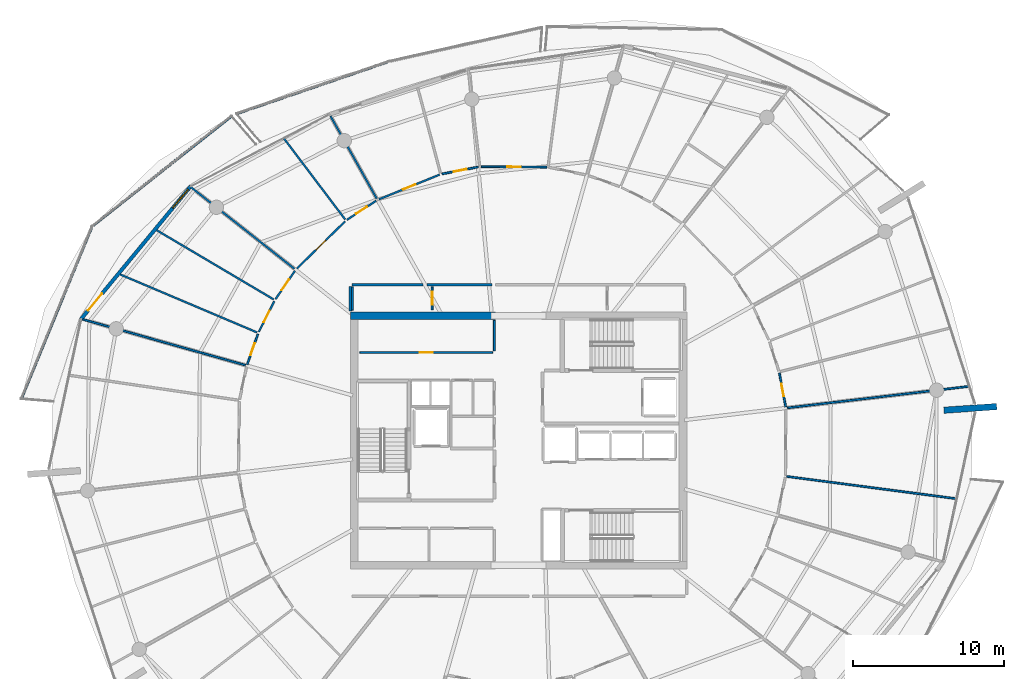
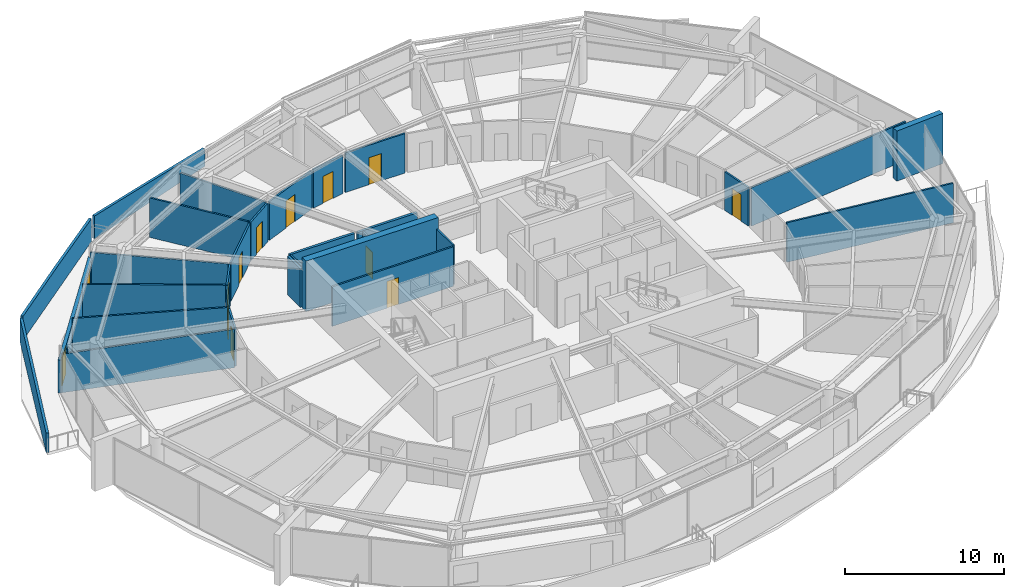
# One storey, part 21 of 30: 30 walls, 12 doors, 1 window, 13 openings.
"""IFC4 building model written with IfcOpenShell, lengths in metres."""

from ifc_helpers import new_model, si_unit, direction, frame, frame_2d, origin, place, context, subcontext, project, spatial, polyline, rectangle, outline, extrude, material, layer, layer_set, type_object, element, fill, save


model = new_model("IFC4")

# Units and contexts
model_context = context("Model", 3, precision=1e-05, world=origin(), true_north=direction((0.0, 1.0)))
body_context = subcontext(model_context, "Body", "Model", "MODEL_VIEW")
ifc_project = project(units=[si_unit("LENGTHUNIT", "METRE"), si_unit("AREAUNIT", "SQUARE_METRE"), si_unit("VOLUMEUNIT", "CUBIC_METRE"), si_unit("PLANEANGLEUNIT", "RADIAN"), si_unit("MASSUNIT", "GRAM", prefix="KILO")], contexts=[model_context])

# Site, building, storey
site_placement = place(None, origin())
site = spatial("IfcSite", under=ifc_project, at=site_placement, CompositionType="ELEMENT")
building_placement = place(site_placement, origin())
building = spatial("IfcBuilding", under=site, at=building_placement, Name="Kazma Halo Residences", CompositionType="ELEMENT")
storey_placement = place(building_placement, frame((0.0, 0.0, 298.300048828125)))
storey = spatial("IfcBuildingStorey", under=building, at=storey_placement, Name="L75", CompositionType="ELEMENT", Elevation=298.300048828125)

# Walls
ifc_material_1 = material(Name="White Concrete C50/60 Balustrade", Category="concrete")
ifc_layer_1 = layer(ifc_material_1, 0.179931640625)
ifc_layer_set_1 = layer_set([ifc_layer_1], Name="White Concrete C50/60 Balustrade")
wall_type_1 = type_object("IfcWallType", Name="WL-BAL-WAVE-180", PredefinedType="PARAPET", material=ifc_layer_set_1)
wall_1_placement = place(storey_placement, frame((39.73974609375, 67.034423828125, 0.0), z_axis=(0.0, 0.0, 1.0), x_axis=(-0.945994037051, -0.32418402469, 0.0)))
element("IfcWall", 1, at=wall_1_placement, inside=storey, type_object=wall_type_1, Name="L75 white wave balustrade wall NNW.2", PredefinedType="PARAPET", context=body_context, shape_type="SweptSolid", body=[
    extrude(outline(polyline([(0.0, 0.0), (10.5439453125, 0.0), (10.5439453125, 1.7470703125), (5.27197265625, 1.56201171875), (0.0, 1.347900390625), (0.0, 0.0)])), frame((0.0, 0.08984375, 0.0), z_axis=(0.0, -1.0, 0.0), x_axis=(1.0, 0.0, 0.0)), (0.0, 0.0, 1.0), 0.179931640625),
])
wall_2_placement = place(storey_placement, frame((29.44287109375, 63.4609375, 0.0), z_axis=(0.0, 0.0, 1.0), x_axis=(-0.784536716277, -0.620082366153, 0.0)))
element("IfcWall", 2, at=wall_2_placement, inside=storey, type_object=wall_type_1, Name="L75 white wave balustrade wall NW.1", PredefinedType="PARAPET", context=body_context, shape_type="SweptSolid", body=[
    extrude(outline(polyline([(0.0, 0.0), (11.65234375, 0.0), (11.652099609375, 1.83203125), (5.826171875, 1.85302734375), (0.0, 1.755859375), (0.0, 0.0)])), frame((0.0, 0.08984375, 0.0), z_axis=(0.0, -1.0, 0.0), x_axis=(1.0, 0.0, 0.0)), (0.0, 0.0, 1.0), 0.179931640625),
])
wall_3_placement = place(storey_placement, frame((20.16162109375, 56.05029296875, 0.0), z_axis=(0.0, 0.0, 1.0), x_axis=(-0.3796059491, -0.92514827104, 0.0)))
element("IfcWall", 3, at=wall_3_placement, inside=storey, type_object=wall_type_1, Name="L75 white wave balustrade wall NW.2", PredefinedType="PARAPET", context=body_context, shape_type="SweptSolid", body=[
    extrude(outline(polyline([(0.0, 0.0), (12.208740234375, 0.0), (12.20849609375, 1.4970703125), (6.104248046875, 1.696044921875), (0.0, 1.83203125), (0.0, 0.0)])), frame((0.0, 0.08984375, 0.0), z_axis=(0.0, -1.0, 0.0), x_axis=(1.0, 0.0, 0.0)), (0.0, 0.0, 1.0), 0.179931640625),
])
ifc_material_2 = material(Name="Pale Concrete C60/75", Category="concrete")
ifc_layer_2 = layer(ifc_material_2, 0.419921875)
ifc_layer_set_2 = layer_set([ifc_layer_2], Name="Pale Concrete C60/75")
wall_type_2 = type_object("IfcWallType", Name="WL-BLADE-420", PredefinedType="SOLIDWALL", material=ifc_layer_set_2)
wall_4_placement = place(storey_placement, frame((76.5625, 43.997314453125, 0.0), z_axis=(0.0, 0.0, 1.0), x_axis=(0.997563824095, 0.069759707979, 0.0)))
element("IfcWall", 4, at=wall_4_placement, inside=storey, type_object=wall_type_2, Name="L75 pale concrete structural blade fin wall BW-04", PredefinedType="SOLIDWALL", context=body_context, shape_type="SweptSolid", body=[
    extrude(rectangle(XDim=3.499755859375, YDim=0.419921875, at=frame_2d((1.75, 0.0))), origin(), (0.0, 0.0, 1.0), 3.849853515625),
])
ifc_material_3 = material(Name="Concrete C60/75", Category="concrete")
ifc_layer_3 = layer(ifc_material_3, 0.5)
ifc_layer_set_3 = layer_set([ifc_layer_3], Name="Concrete C60/75")
wall_type_3 = type_object("IfcWallType", Name="WL-CORE-500", PredefinedType="SHEAR", material=ifc_layer_set_3)
wall_5_placement = place(storey_placement, frame((37.300048828125, 50.25, 0.0), z_axis=(0.0, 0.0, 1.0), x_axis=(1.0, 0.0, 0.0)))
element("IfcWall", 5, at=wall_5_placement, inside=storey, type_object=wall_type_3, Name="L75 central core shear wall NW", PredefinedType="SHEAR", context=body_context, shape_type="SweptSolid", body=[
    extrude(rectangle(XDim=9.599853515625, YDim=0.5, at=frame_2d((4.7998046875, 0.0))), origin(), (0.0, 0.0, 1.0), 3.849853515625),
])
ifc_material_4 = material(Name="Acoustic Twin-Stud Gypsum")
ifc_layer_4 = layer(ifc_material_4, 0.179931640625)
ifc_layer_set_4 = layer_set([ifc_layer_4], Name="Acoustic Twin-Stud Gypsum")
wall_type_4 = type_object("IfcWallType", Name="WL-DEM-180", PredefinedType="PARTITIONING", material=ifc_layer_set_4)
wall_6_placement = place(storey_placement, frame((46.660888671875, 52.300048828125, 0.0), z_axis=(0.0, 0.0, 1.0), x_axis=(-1.0, 0.0, 0.0)))
element("IfcWall", 6, at=wall_6_placement, inside=storey, type_object=wall_type_4, Name="L75 Apartment 2 inner wall 3", PredefinedType="PARTITIONING", context=body_context, shape_type="SweptSolid", body=[
    extrude(rectangle(XDim=4.30908203125, YDim=0.179931640625, at=frame_2d((2.154541015625, 0.0))), origin(), (0.0, 0.0, 1.0), 2.95703125),
])
wall_7_placement = place(storey_placement, frame((42.11181640625, 52.300048828125, 0.0), z_axis=(0.0, 0.0, 1.0), x_axis=(-1.0, 0.0, 0.0)))
element("IfcWall", 7, at=wall_7_placement, inside=storey, type_object=wall_type_4, Name="L75 Apartment 2 inner wall 4", PredefinedType="PARTITIONING", context=body_context, shape_type="SweptSolid", body=[
    extrude(rectangle(XDim=4.69189453125, YDim=0.179931640625, at=frame_2d((2.345947265625, 0.0))), origin(), (0.0, 0.0, 1.0), 2.95703125),
])
wall_8_placement = place(storey_placement, frame((37.300048828125, 52.179931640625, 0.0), z_axis=(0.0, 0.0, 1.0), x_axis=(0.0, -1.0, 0.0)))
element("IfcWall", 8, at=wall_8_placement, inside=storey, type_object=wall_type_4, Name="L75 Apartment 2 inner wall 4", PredefinedType="PARTITIONING", context=body_context, shape_type="SweptSolid", body=[
    extrude(rectangle(XDim=1.624755859375, YDim=0.179931640625, at=frame_2d((0.8125, 0.0))), origin(), (0.0, 0.0, 1.0), 2.95703125),
])

# Wall, openings, door, window
ifc_material_5 = material(Name="Insulated Pale-Metal Composite Wall")
ifc_layer_5 = layer(ifc_material_5, 0.239990234375)
ifc_layer_set_5 = layer_set([ifc_layer_5], Name="Insulated Pale-Metal Composite Wall")
wall_type_5 = type_object("IfcWallType", Name="WL-EXT-HOST-240", PredefinedType="SOLIDWALL", material=ifc_layer_set_5)
wall_9_placement = place(storey_placement, frame((26.7421875, 58.822021484375, 0.0), z_axis=(0.0, 0.0, 1.0), x_axis=(-0.636680093065, -0.771128043255, 0.0)))
wall_9 = element("IfcWall", 9, at=wall_9_placement, inside=storey, type_object=wall_type_5, Name="L75 exterior terrace-access wall B06", PredefinedType="SOLIDWALL", context=body_context, shape_type="SweptSolid", body=[
    extrude(rectangle(XDim=11.438232421875, YDim=0.239990234375, at=frame_2d((5.71923828125, 0.0))), origin(), (0.0, 0.0, 1.0), 2.5400390625),
])
opening_1_placement = place(wall_9_placement, frame((9.21826171875, 0.0, 0.0)))
opening_1 = element("IfcOpeningElement", 10, at=opening_1_placement, cuts=wall_9, Name="Opening DTR-1600", PredefinedType="OPENING", context=body_context, shape_type="SweptSolid", body=[
    extrude(rectangle(XDim=1.449951171875, YDim=2.14990234375, at=frame_2d((0.72509765625, 1.074951171875))), frame((0.0, 0.1298828125, 0.0), z_axis=(0.0, -1.0, 0.0), x_axis=(1.0, 0.0, 0.0)), (0.0, 0.0, 1.0), 0.260009765625),
])
opening_2_placement = place(wall_9_placement, frame((0.280029296875, 0.0, 0.64990234375)))
opening_2 = element("IfcOpeningElement", 11, at=opening_2_placement, cuts=wall_9, Name="Opening W-1800", PredefinedType="OPENING", context=body_context, shape_type="SweptSolid", body=[
    extrude(rectangle(XDim=1.60009765625, YDim=1.5, at=frame_2d((0.800048828125, 0.75))), frame((0.0, 0.1298828125, 0.0), z_axis=(0.0, -1.0, 0.0), x_axis=(1.0, 0.0, 0.0)), (0.0, 0.0, 1.0), 0.260009765625),
])
ifc_material_6 = material(Name="Aluminium AW-6063 T6 Double-Glazed Terrace Door", Category="aluminium")
door_type_1 = type_object("IfcDoorType", Name="DR-EXT-TERR-1600", OperationType="NOTDEFINED", PredefinedType="DOOR", material=ifc_material_6)
door_1_placement = place(opening_1_placement, origin())
door_1 = element("IfcDoor", 12, at=door_1_placement, inside=storey, type_object=door_type_1, Name="L75 B06 balcony terrace door", OperationType="DOUBLE_DOOR_SLIDING", OverallHeight=2.14990234375, OverallWidth=1.449951171875, PredefinedType="DOOR", context=body_context, shape_type="SweptSolid", body=[
    extrude(rectangle(XDim=1.449951171875, YDim=2.14990234375, at=frame_2d((0.72509765625, 1.074951171875))), frame((0.0, 0.02490234375, 0.0), z_axis=(0.0, -1.0, 0.0), x_axis=(1.0, 0.0, 0.0)), (0.0, 0.0, 1.0), 0.050048828125),
])
fill(opening_1, door_1)
ifc_material_7 = material(Name="Clear Triple-Silver Low-E Glass in Aluminium AW-6063 T6 Frame", Category="aluminium")
window_type = type_object("IfcWindowType", Name="WIN-RES-1800", PartitioningType="DOUBLE_PANEL_VERTICAL", PredefinedType="WINDOW", material=ifc_material_7)
window_placement = place(opening_2_placement, origin())
window = element("IfcWindow", 13, at=window_placement, inside=storey, type_object=window_type, Name="L75 B06 apartment window", OverallHeight=1.5, OverallWidth=1.60009765625, PartitioningType="SINGLE_PANEL", PredefinedType="WINDOW", context=body_context, shape_type="SweptSolid", body=[
    extrude(rectangle(XDim=1.60009765625, YDim=1.5, at=frame_2d((0.800048828125, 0.75))), frame((0.0, 0.030029296875, 0.0), z_axis=(0.0, -1.0, 0.0), x_axis=(1.0, 0.0, 0.0)), (0.0, 0.0, 1.0), 0.06005859375),
])
fill(opening_2, window)

# Wall
ifc_material_8 = material(Name="Gypsum Plasterboard Partition")
ifc_layer_6 = layer(ifc_material_8, 0.125)
ifc_layer_set_6 = layer_set([ifc_layer_6], Name="Gypsum Plasterboard Partition")
wall_type_6 = type_object("IfcWallType", Name="WL-PART-125", PredefinedType="PARTITIONING", material=ifc_layer_set_6)
wall_10_placement = place(storey_placement, frame((46.820068359375, 47.919921875, 0.0), z_axis=(0.0, 0.0, 1.0), x_axis=(0.0, 1.0, 0.0)))
element("IfcWall", 14, at=wall_10_placement, inside=storey, type_object=wall_type_6, Name="L75 reclaimed north east wall", PredefinedType="PARTITIONING", context=body_context, shape_type="SweptSolid", body=[
    extrude(rectangle(XDim=2.030029296875, YDim=0.125, at=frame_2d((1.01513671875, 0.0))), origin(), (0.0, 0.0, 1.0), 3.030029296875),
])

# Wall, opening, door
wall_11_placement = place(storey_placement, frame((37.919921875, 47.820068359375, 0.0), z_axis=(0.0, 0.0, 1.0), x_axis=(1.0, 0.0, 0.0)))
wall_11 = element("IfcWall", 15, at=wall_11_placement, inside=storey, type_object=wall_type_6, Name="L75 reclaimed north front wall", PredefinedType="PARTITIONING", context=body_context, shape_type="SweptSolid", body=[
    extrude(rectangle(XDim=8.780029296875, YDim=0.125, at=frame_2d((4.39013671875, 0.0))), origin(), (0.0, 0.0, 1.0), 3.030029296875),
])
opening_3_placement = place(wall_11_placement, frame((3.965087890625, 0.0, 0.0)))
opening_3 = element("IfcOpeningElement", 16, at=opening_3_placement, cuts=wall_11, Name="Opening DS-850", PredefinedType="OPENING", context=body_context, shape_type="SweptSolid", body=[
    extrude(rectangle(XDim=0.85009765625, YDim=2.06005859375, at=frame_2d((0.425048828125, 1.030029296875))), frame((0.0, 0.072509765625, 0.0), z_axis=(0.0, -1.0, 0.0), x_axis=(1.0, 0.0, 0.0)), (0.0, 0.0, 1.0), 0.14501953125),
])
ifc_material_9 = material(Name="Painted Steel Access Leaf", Category="steel")
door_type_2 = type_object("IfcDoorType", Name="DR-SVC-850", OperationType="NOTDEFINED", PredefinedType="DOOR", material=ifc_material_9)
door_2_placement = place(opening_3_placement, origin())
door_2 = element("IfcDoor", 17, at=door_2_placement, inside=storey, type_object=door_type_2, Name="L75 reclaimed north service door", OperationType="SINGLE_SWING_RIGHT", OverallHeight=2.06005859375, OverallWidth=0.85009765625, PredefinedType="DOOR", context=body_context, shape_type="SweptSolid", body=[
    extrude(rectangle(XDim=0.85009765625, YDim=2.06005859375, at=frame_2d((0.425048828125, 1.030029296875))), frame((0.0, 0.02490234375, 0.0), z_axis=(0.0, -1.0, 0.0), x_axis=(1.0, 0.0, 0.0)), (0.0, 0.0, 1.0), 0.050048828125),
])
fill(opening_3, door_2)

# Wall
wall_12_placement = place(storey_placement, frame((37.43994140625, 50.6201171875, 0.0), z_axis=(0.0, 0.0, 1.0), x_axis=(0.0, 1.0, 0.0)))
element("IfcWall", 18, at=wall_12_placement, inside=storey, type_object=wall_type_6, Name="L75 west linen end wall", PredefinedType="PARTITIONING", context=body_context, shape_type="SweptSolid", body=[
    extrude(rectangle(XDim=1.539794921875, YDim=0.125, at=frame_2d((0.77001953125, 0.0))), origin(), (0.0, 0.0, 1.0), 3.030029296875),
])

# Wall, opening, door
wall_13_placement = place(storey_placement, frame((42.7099609375, 50.639892578125, 0.0), z_axis=(0.0, 0.0, 1.0), x_axis=(0.0, 1.0, 0.0)))
wall_13 = element("IfcWall", 19, at=wall_13_placement, inside=storey, type_object=wall_type_6, Name="L75 floor linen store door wall", PredefinedType="PARTITIONING", context=body_context, shape_type="SweptSolid", body=[
    extrude(rectangle(XDim=1.52001953125, YDim=0.125, at=frame_2d((0.760009765625, 0.0))), origin(), (0.0, 0.0, 1.0), 2.95703125),
])
opening_4_placement = place(wall_13_placement, frame((0.3349609375, 0.0, 0.0)))
opening_4 = element("IfcOpeningElement", 20, at=opening_4_placement, cuts=wall_13, Name="Opening DS-850", PredefinedType="OPENING", context=body_context, shape_type="SweptSolid", body=[
    extrude(rectangle(XDim=0.85009765625, YDim=2.06005859375, at=frame_2d((0.425048828125, 1.030029296875))), frame((0.0, 0.072509765625, 0.0), z_axis=(0.0, -1.0, 0.0), x_axis=(1.0, 0.0, 0.0)), (0.0, 0.0, 1.0), 0.14501953125),
])
door_3_placement = place(opening_4_placement, origin())
door_3 = element("IfcDoor", 21, at=door_3_placement, inside=storey, type_object=door_type_2, Name="L75 floor linen store door", OperationType="SINGLE_SWING_RIGHT", OverallHeight=2.06005859375, OverallWidth=0.85009765625, PredefinedType="DOOR", context=body_context, shape_type="SweptSolid", body=[
    extrude(rectangle(XDim=0.85009765625, YDim=2.06005859375, at=frame_2d((0.425048828125, 1.030029296875))), frame((0.0, 0.02490234375, 0.0), z_axis=(0.0, -1.0, 0.0), x_axis=(1.0, 0.0, 0.0)), (0.0, 0.0, 1.0), 0.050048828125),
])
fill(opening_4, door_3)

# Walls
wall_14_placement = place(storey_placement, frame((66.17041015625, 39.617431640625, 0.0), z_axis=(0.0, 0.0, 1.0), x_axis=(0.991515553817, -0.129988101526, 0.0)))
element("IfcWall", 22, at=wall_14_placement, inside=storey, type_object=wall_type_6, Name="L75 Apartment 2 mid-bay wall 14", PredefinedType="PARTITIONING", context=body_context, shape_type="SweptSolid", body=[
    extrude(rectangle(XDim=11.306640625, YDim=0.125, at=frame_2d((5.6533203125, 0.0))), origin(), (0.0, 0.0, 1.0), 3.030029296875),
])
wall_15_placement = place(storey_placement, frame((66.208984375, 44.1552734375, 0.0), z_axis=(0.0, 0.0, 1.0), x_axis=(0.993069062241, 0.117532283306, 0.0)))
element("IfcWall", 23, at=wall_15_placement, inside=storey, type_object=wall_type_6, Name="L75 Apartment 2 radial partition 15", PredefinedType="PARTITIONING", context=body_context, shape_type="SweptSolid", body=[
    extrude(rectangle(XDim=12.093505859375, YDim=0.125, at=frame_2d((6.046875, 0.0))), origin(), (0.0, 0.0, 1.0), 2.95703125),
])

# Wall, opening, door
wall_16_placement = place(storey_placement, frame((66.094970703125, 44.221923828125, 0.0), z_axis=(0.0, 0.0, 1.0), x_axis=(-0.183542776788, 0.98301172378, 0.0)))
wall_16 = element("IfcWall", 24, at=wall_16_placement, inside=storey, type_object=wall_type_6, Name="L75 Apartment 2 East Master Bedroom hall wall", PredefinedType="PARTITIONING", context=body_context, shape_type="SweptSolid", body=[
    extrude(rectangle(XDim=2.273193359375, YDim=0.125, at=frame_2d((1.13671875, 0.0))), origin(), (0.0, 0.0, 1.0), 2.95703125),
])
opening_5_placement = place(wall_16_placement, frame((0.71142578125, 0.0, 0.0)))
opening_5 = element("IfcOpeningElement", 25, at=opening_5_placement, cuts=wall_16, Name="Opening DB-900", PredefinedType="OPENING", context=body_context, shape_type="SweptSolid", body=[
    extrude(rectangle(XDim=0.85009765625, YDim=2.06005859375, at=frame_2d((0.425048828125, 1.030029296875))), frame((0.0, 0.072509765625, 0.0), z_axis=(0.0, -1.0, 0.0), x_axis=(1.0, 0.0, 0.0)), (0.0, 0.0, 1.0), 0.14501953125),
])
ifc_material_10 = material(Name="Moisture-Sealed Timber Leaf", Category="wood")
door_type_3 = type_object("IfcDoorType", Name="DR-BTH-900", OperationType="NOTDEFINED", PredefinedType="DOOR", material=ifc_material_10)
door_4_placement = place(opening_5_placement, origin())
door_4 = element("IfcDoor", 26, at=door_4_placement, inside=storey, type_object=door_type_3, Name="L75 Apartment 2 East Master Bedroom door", OperationType="SINGLE_SWING_RIGHT", OverallHeight=2.06005859375, OverallWidth=0.85009765625, PredefinedType="DOOR", context=body_context, shape_type="SweptSolid", body=[
    extrude(rectangle(XDim=0.85009765625, YDim=2.06005859375, at=frame_2d((0.425048828125, 1.030029296875))), frame((0.0, 0.02490234375, 0.0), z_axis=(0.0, -1.0, 0.0), x_axis=(1.0, 0.0, 0.0)), (0.0, 0.0, 1.0), 0.050048828125),
])
fill(opening_5, door_4)

wall_17_placement = place(storey_placement, frame((50.290771484375, 60.081787109375, 0.0), z_axis=(0.0, 0.0, 1.0), x_axis=(-0.999980453918, 0.006252342161, 0.0)))
wall_17 = element("IfcWall", 27, at=wall_17_placement, inside=storey, type_object=wall_type_6, Name="L75 Apartment 2 Primary Formal Dining Room hall wall", PredefinedType="PARTITIONING", context=body_context, shape_type="SweptSolid", body=[
    extrude(rectangle(XDim=4.334228515625, YDim=0.125, at=frame_2d((2.1669921875, 0.0))), origin(), (0.0, 0.0, 1.0), 3.030029296875),
])
opening_6_placement = place(wall_17_placement, frame((1.717041015625, 0.0, 0.0)))
opening_6 = element("IfcOpeningElement", 28, at=opening_6_placement, cuts=wall_17, Name="Opening DI-950", PredefinedType="OPENING", context=body_context, shape_type="SweptSolid", body=[
    extrude(rectangle(XDim=0.89990234375, YDim=2.080078125, at=frame_2d((0.449951171875, 1.0400390625))), frame((0.0, 0.072509765625, 0.0), z_axis=(0.0, -1.0, 0.0), x_axis=(1.0, 0.0, 0.0)), (0.0, 0.0, 1.0), 0.14501953125),
])
ifc_material_11 = material(Name="Timber Veneer Flush Leaf", Category="wood")
door_type_4 = type_object("IfcDoorType", Name="DR-INT-950", OperationType="NOTDEFINED", PredefinedType="DOOR", material=ifc_material_11)
door_5_placement = place(opening_6_placement, origin())
door_5 = element("IfcDoor", 29, at=door_5_placement, inside=storey, type_object=door_type_4, Name="L75 Apartment 2 Primary Formal Dining Room door", OperationType="SINGLE_SWING_LEFT", OverallHeight=2.080078125, OverallWidth=0.89990234375, PredefinedType="DOOR", context=body_context, shape_type="SweptSolid", body=[
    extrude(rectangle(XDim=0.89990234375, YDim=2.080078125, at=frame_2d((0.449951171875, 1.0400390625))), frame((0.0, 0.02490234375, 0.0), z_axis=(0.0, -1.0, 0.0), x_axis=(1.0, 0.0, 0.0)), (0.0, 0.0, 1.0), 0.050048828125),
])
fill(opening_6, door_5)

wall_18_placement = place(storey_placement, frame((45.75830078125, 60.0908203125, 0.0), z_axis=(0.0, 0.0, 1.0), x_axis=(-0.982023530452, -0.188758537923, 0.0)))
wall_18 = element("IfcWall", 30, at=wall_18_placement, inside=storey, type_object=wall_type_6, Name="L75 Apartment 2 Secondary Dressing Wardrobe hall wall", PredefinedType="PARTITIONING", context=body_context, shape_type="SweptSolid", body=[
    extrude(rectangle(XDim=2.44580078125, YDim=0.125, at=frame_2d((1.222900390625, 0.0))), origin(), (0.0, 0.0, 1.0), 2.95703125),
])
opening_7_placement = place(wall_18_placement, frame((0.7978515625, 0.0, 0.0)))
opening_7 = element("IfcOpeningElement", 31, at=opening_7_placement, cuts=wall_18, Name="Opening DB-900", PredefinedType="OPENING", context=body_context, shape_type="SweptSolid", body=[
    extrude(rectangle(XDim=0.85009765625, YDim=2.06005859375, at=frame_2d((0.425048828125, 1.030029296875))), frame((0.0, 0.072509765625, 0.0), z_axis=(0.0, -1.0, 0.0), x_axis=(1.0, 0.0, 0.0)), (0.0, 0.0, 1.0), 0.14501953125),
])
door_6_placement = place(opening_7_placement, origin())
door_6 = element("IfcDoor", 32, at=door_6_placement, inside=storey, type_object=door_type_3, Name="L75 Apartment 2 Secondary Dressing Wardrobe door", OperationType="SINGLE_SWING_LEFT", OverallHeight=2.06005859375, OverallWidth=0.85009765625, PredefinedType="DOOR", context=body_context, shape_type="SweptSolid", body=[
    extrude(rectangle(XDim=0.85009765625, YDim=2.06005859375, at=frame_2d((0.425048828125, 1.030029296875))), frame((0.0, 0.02490234375, 0.0), z_axis=(0.0, -1.0, 0.0), x_axis=(1.0, 0.0, 0.0)), (0.0, 0.0, 1.0), 0.050048828125),
])
fill(opening_7, door_6)

wall_19_placement = place(storey_placement, frame((43.203857421875, 59.583984375, 0.0), z_axis=(0.0, 0.0, 1.0), x_axis=(-0.926332321747, -0.376707352843, 0.0)))
wall_19 = element("IfcWall", 33, at=wall_19_placement, inside=storey, type_object=wall_type_6, Name="L75 Apartment 2 East Master Bedroom hall wall", PredefinedType="PARTITIONING", context=body_context, shape_type="SweptSolid", body=[
    extrude(rectangle(XDim=4.341552734375, YDim=0.125, at=frame_2d((2.1708984375, 0.0))), origin(), (0.0, 0.0, 1.0), 2.95703125),
])
opening_8_placement = place(wall_19_placement, frame((1.720703125, 0.0, 0.0)))
opening_8 = element("IfcOpeningElement", 34, at=opening_8_placement, cuts=wall_19, Name="Opening DI-950", PredefinedType="OPENING", context=body_context, shape_type="SweptSolid", body=[
    extrude(rectangle(XDim=0.89990234375, YDim=2.080078125, at=frame_2d((0.449951171875, 1.0400390625))), frame((0.0, 0.072509765625, 0.0), z_axis=(0.0, -1.0, 0.0), x_axis=(1.0, 0.0, 0.0)), (0.0, 0.0, 1.0), 0.14501953125),
])
door_7_placement = place(opening_8_placement, origin())
door_7 = element("IfcDoor", 35, at=door_7_placement, inside=storey, type_object=door_type_4, Name="L75 Apartment 2 East Master Bedroom door", OperationType="SINGLE_SWING_RIGHT", OverallHeight=2.080078125, OverallWidth=0.89990234375, PredefinedType="DOOR", context=body_context, shape_type="SweptSolid", body=[
    extrude(rectangle(XDim=0.89990234375, YDim=2.080078125, at=frame_2d((0.449951171875, 1.0400390625))), frame((0.0, 0.02490234375, 0.0), z_axis=(0.0, -1.0, 0.0), x_axis=(1.0, 0.0, 0.0)), (0.0, 0.0, 1.0), 0.050048828125),
])
fill(opening_8, door_7)

# Walls
wall_20_placement = place(storey_placement, frame((39.04052734375, 57.998046875, 0.0), z_axis=(0.0, 0.0, 1.0), x_axis=(-0.488617622803, 0.872498033629, 0.0)))
element("IfcWall", 36, at=wall_20_placement, inside=storey, type_object=wall_type_6, Name="L75 Apartment 2 radial partition 4", PredefinedType="PARTITIONING", context=body_context, shape_type="SweptSolid", body=[
    extrude(rectangle(XDim=6.2587890625, YDim=0.125, at=frame_2d((3.12939453125, 0.0))), origin(), (0.0, 0.0, 1.0), 2.95703125),
])
wall_21_placement = place(storey_placement, frame((36.95068359375, 56.620361328125, 0.0), z_axis=(0.0, 0.0, 1.0), x_axis=(-0.602918531989, 0.797802759951, 0.0)))
element("IfcWall", 37, at=wall_21_placement, inside=storey, type_object=wall_type_6, Name="L75 Apartment 2 mid-bay wall 4", PredefinedType="PARTITIONING", context=body_context, shape_type="SweptSolid", body=[
    extrude(rectangle(XDim=6.709716796875, YDim=0.125, at=frame_2d((3.35498046875, 0.0))), origin(), (0.0, 0.0, 1.0), 3.030029296875),
])

# Wall, opening, door
wall_22_placement = place(storey_placement, frame((39.005859375, 57.856201171875, 0.0), z_axis=(0.0, 0.0, 1.0), x_axis=(-0.837071991575, -0.547092753489, 0.0)))
wall_22 = element("IfcWall", 38, at=wall_22_placement, inside=storey, type_object=wall_type_6, Name="L75 Apartment 2 West Wine Pantry Store hall wall", PredefinedType="PARTITIONING", context=body_context, shape_type="SweptSolid", body=[
    extrude(rectangle(XDim=2.310302734375, YDim=0.125, at=frame_2d((1.1552734375, 0.0))), origin(), (0.0, 0.0, 1.0), 2.95703125),
])
opening_9_placement = place(wall_22_placement, frame((0.72998046875, 0.0, 0.0)))
opening_9 = element("IfcOpeningElement", 39, at=opening_9_placement, cuts=wall_22, Name="Opening DB-900", PredefinedType="OPENING", context=body_context, shape_type="SweptSolid", body=[
    extrude(rectangle(XDim=0.85009765625, YDim=2.06005859375, at=frame_2d((0.425048828125, 1.030029296875))), frame((0.0, 0.072509765625, 0.0), z_axis=(0.0, -1.0, 0.0), x_axis=(1.0, 0.0, 0.0)), (0.0, 0.0, 1.0), 0.14501953125),
])
door_8_placement = place(opening_9_placement, origin())
door_8 = element("IfcDoor", 40, at=door_8_placement, inside=storey, type_object=door_type_3, Name="L75 Apartment 2 West Wine Pantry Store door", OperationType="SINGLE_SWING_RIGHT", OverallHeight=2.06005859375, OverallWidth=0.85009765625, PredefinedType="DOOR", context=body_context, shape_type="SweptSolid", body=[
    extrude(rectangle(XDim=0.85009765625, YDim=2.06005859375, at=frame_2d((0.425048828125, 1.030029296875))), frame((0.0, 0.02490234375, 0.0), z_axis=(0.0, -1.0, 0.0), x_axis=(1.0, 0.0, 0.0)), (0.0, 0.0, 1.0), 0.050048828125),
])
fill(opening_9, door_8)

wall_23_placement = place(storey_placement, frame((36.947998046875, 56.49267578125, 0.0), z_axis=(0.0, 0.0, 1.0), x_axis=(-0.714296261594, -0.69984344726, 0.0)))
wall_23 = element("IfcWall", 41, at=wall_23_placement, inside=storey, type_object=wall_type_6, Name="L75 Apartment 2 North Formal Dining Room hall wall", PredefinedType="PARTITIONING", context=body_context, shape_type="SweptSolid", body=[
    extrude(rectangle(XDim=4.4765625, YDim=0.125, at=frame_2d((2.23828125, 0.0))), origin(), (0.0, 0.0, 1.0), 2.95703125),
])
opening_10_placement = place(wall_23_placement, frame((1.7880859375, 0.0, 0.0)))
opening_10 = element("IfcOpeningElement", 42, at=opening_10_placement, cuts=wall_23, Name="Opening DI-950", PredefinedType="OPENING", context=body_context, shape_type="SweptSolid", body=[
    extrude(rectangle(XDim=0.89990234375, YDim=2.080078125, at=frame_2d((0.449951171875, 1.0400390625))), frame((0.0, 0.072509765625, 0.0), z_axis=(0.0, -1.0, 0.0), x_axis=(1.0, 0.0, 0.0)), (0.0, 0.0, 1.0), 0.14501953125),
])
door_9_placement = place(opening_10_placement, origin())
door_9 = element("IfcDoor", 43, at=door_9_placement, inside=storey, type_object=door_type_4, Name="L75 Apartment 2 North Formal Dining Room door", OperationType="SINGLE_SWING_LEFT", OverallHeight=2.080078125, OverallWidth=0.89990234375, PredefinedType="DOOR", context=body_context, shape_type="SweptSolid", body=[
    extrude(rectangle(XDim=0.89990234375, YDim=2.080078125, at=frame_2d((0.449951171875, 1.0400390625))), frame((0.0, 0.02490234375, 0.0), z_axis=(0.0, -1.0, 0.0), x_axis=(1.0, 0.0, 0.0)), (0.0, 0.0, 1.0), 0.050048828125),
])
fill(opening_10, door_9)

# Walls
wall_24_placement = place(storey_placement, frame((33.6005859375, 53.351806640625, 0.0), z_axis=(0.0, 0.0, 1.0), x_axis=(-0.785335435896, 0.619070475088, 0.0)))
element("IfcWall", 44, at=wall_24_placement, inside=storey, type_object=wall_type_6, Name="L75 Apartment 2 radial partition 5", PredefinedType="PARTITIONING", context=body_context, shape_type="SweptSolid", body=[
    extrude(rectangle(XDim=8.74853515625, YDim=0.125, at=frame_2d((4.374267578125, 0.0))), origin(), (0.0, 0.0, 1.0), 2.95703125),
])
wall_25_placement = place(storey_placement, frame((32.22607421875, 51.32861328125, 0.0), z_axis=(0.0, 0.0, 1.0), x_axis=(-0.860733895342, 0.50905516539, 0.0)))
element("IfcWall", 45, at=wall_25_placement, inside=storey, type_object=wall_type_6, Name="L75 Apartment 2 bay wall 1 5", PredefinedType="PARTITIONING", context=body_context, shape_type="SweptSolid", body=[
    extrude(rectangle(XDim=8.985107421875, YDim=0.125, at=frame_2d((4.49267578125, 0.0))), origin(), (0.0, 0.0, 1.0), 3.030029296875),
])
wall_26_placement = place(storey_placement, frame((31.12451171875, 49.145751953125, 0.0), z_axis=(0.0, 0.0, 1.0), x_axis=(-0.920847570418, 0.389922751395, 0.0)))
element("IfcWall", 46, at=wall_26_placement, inside=storey, type_object=wall_type_6, Name="L75 Apartment 2 bay wall 2 5", PredefinedType="PARTITIONING", context=body_context, shape_type="SweptSolid", body=[
    extrude(rectangle(XDim=9.82958984375, YDim=0.125, at=frame_2d((4.914794921875, 0.0))), origin(), (0.0, 0.0, 1.0), 3.030029296875),
])

# Wall, opening, door
wall_27_placement = place(storey_placement, frame((33.6337890625, 53.223876953125, 0.0), z_axis=(0.0, 0.0, 1.0), x_axis=(-0.565361367763, -0.824843332907, 0.0)))
wall_27 = element("IfcWall", 47, at=wall_27_placement, inside=storey, type_object=wall_type_6, Name="L75 Apartment 2 South Bedroom hall wall", PredefinedType="PARTITIONING", context=body_context, shape_type="SweptSolid", body=[
    extrude(rectangle(XDim=2.273193359375, YDim=0.125, at=frame_2d((1.13671875, 0.0))), origin(), (0.0, 0.0, 1.0), 2.95703125),
])
opening_11_placement = place(wall_27_placement, frame((0.71142578125, 0.0, 0.0)))
opening_11 = element("IfcOpeningElement", 48, at=opening_11_placement, cuts=wall_27, Name="Opening DB-900", PredefinedType="OPENING", context=body_context, shape_type="SweptSolid", body=[
    extrude(rectangle(XDim=0.85009765625, YDim=2.06005859375, at=frame_2d((0.425048828125, 1.030029296875))), frame((0.0, 0.072509765625, 0.0), z_axis=(0.0, -1.0, 0.0), x_axis=(1.0, 0.0, 0.0)), (0.0, 0.0, 1.0), 0.14501953125),
])
door_10_placement = place(opening_11_placement, origin())
door_10 = element("IfcDoor", 49, at=door_10_placement, inside=storey, type_object=door_type_3, Name="L75 Apartment 2 South Bedroom door", OperationType="SINGLE_SWING_RIGHT", OverallHeight=2.06005859375, OverallWidth=0.85009765625, PredefinedType="DOOR", context=body_context, shape_type="SweptSolid", body=[
    extrude(rectangle(XDim=0.85009765625, YDim=2.06005859375, at=frame_2d((0.425048828125, 1.030029296875))), frame((0.0, 0.02490234375, 0.0), z_axis=(0.0, -1.0, 0.0), x_axis=(1.0, 0.0, 0.0)), (0.0, 0.0, 1.0), 0.050048828125),
])
fill(opening_11, door_10)

wall_28_placement = place(storey_placement, frame((32.267578125, 51.21142578125, 0.0), z_axis=(0.0, 0.0, 1.0), x_axis=(-0.4505614742, -0.892745404898, 0.0)))
wall_28 = element("IfcWall", 50, at=wall_28_placement, inside=storey, type_object=wall_type_6, Name="L75 Apartment 2 Inner Dressing Wardrobe hall wall", PredefinedType="PARTITIONING", context=body_context, shape_type="SweptSolid", body=[
    extrude(rectangle(XDim=2.273193359375, YDim=0.125, at=frame_2d((1.13671875, 0.0))), origin(), (0.0, 0.0, 1.0), 3.030029296875),
])
opening_12_placement = place(wall_28_placement, frame((0.711669921875, 0.0, 0.0)))
opening_12 = element("IfcOpeningElement", 51, at=opening_12_placement, cuts=wall_28, Name="Opening DB-900", PredefinedType="OPENING", context=body_context, shape_type="SweptSolid", body=[
    extrude(rectangle(XDim=0.85009765625, YDim=2.06005859375, at=frame_2d((0.425048828125, 1.030029296875))), frame((0.0, 0.072509765625, 0.0), z_axis=(0.0, -1.0, 0.0), x_axis=(1.0, 0.0, 0.0)), (0.0, 0.0, 1.0), 0.14501953125),
])
door_11_placement = place(opening_12_placement, origin())
door_11 = element("IfcDoor", 52, at=door_11_placement, inside=storey, type_object=door_type_3, Name="L75 Apartment 2 Inner Dressing Wardrobe door", OperationType="SINGLE_SWING_LEFT", OverallHeight=2.06005859375, OverallWidth=0.85009765625, PredefinedType="DOOR", context=body_context, shape_type="SweptSolid", body=[
    extrude(rectangle(XDim=0.85009765625, YDim=2.06005859375, at=frame_2d((0.425048828125, 1.030029296875))), frame((0.0, 0.02490234375, 0.0), z_axis=(0.0, -1.0, 0.0), x_axis=(1.0, 0.0, 0.0)), (0.0, 0.0, 1.0), 0.050048828125),
])
fill(opening_12, door_11)

wall_29_placement = place(storey_placement, frame((31.180908203125, 49.03515625, 0.0), z_axis=(0.0, 0.0, 1.0), x_axis=(-0.331350883475, -0.943507600404, 0.0)))
wall_29 = element("IfcWall", 53, at=wall_29_placement, inside=storey, type_object=wall_type_6, Name="L75 Apartment 2 Outer Bedroom hall wall", PredefinedType="PARTITIONING", context=body_context, shape_type="SweptSolid", body=[
    extrude(rectangle(XDim=2.130126953125, YDim=0.125, at=frame_2d((1.06494140625, 0.0))), origin(), (0.0, 0.0, 1.0), 2.95703125),
])
opening_13_placement = place(wall_29_placement, frame((0.639892578125, 0.0, 0.0)))
opening_13 = element("IfcOpeningElement", 54, at=opening_13_placement, cuts=wall_29, Name="Opening DB-900", PredefinedType="OPENING", context=body_context, shape_type="SweptSolid", body=[
    extrude(rectangle(XDim=0.85009765625, YDim=2.06005859375, at=frame_2d((0.425048828125, 1.030029296875))), frame((0.0, 0.072509765625, 0.0), z_axis=(0.0, -1.0, 0.0), x_axis=(1.0, 0.0, 0.0)), (0.0, 0.0, 1.0), 0.14501953125),
])
door_12_placement = place(opening_13_placement, origin())
door_12 = element("IfcDoor", 55, at=door_12_placement, inside=storey, type_object=door_type_3, Name="L75 Apartment 2 Outer Bedroom door", OperationType="SINGLE_SWING_RIGHT", OverallHeight=2.06005859375, OverallWidth=0.85009765625, PredefinedType="DOOR", context=body_context, shape_type="SweptSolid", body=[
    extrude(rectangle(XDim=0.85009765625, YDim=2.06005859375, at=frame_2d((0.425048828125, 1.030029296875))), frame((0.0, 0.02490234375, 0.0), z_axis=(0.0, -1.0, 0.0), x_axis=(1.0, 0.0, 0.0)), (0.0, 0.0, 1.0), 0.050048828125),
])
fill(opening_13, door_12)

# Wall
wall_30_placement = place(storey_placement, frame((30.3525390625, 46.97705078125, 0.0), z_axis=(0.0, 0.0, 1.0), x_axis=(-0.962452900165, 0.271448733583, 0.0)))
element("IfcWall", 56, at=wall_30_placement, inside=storey, type_object=wall_type_6, Name="L75 Apartment 2 radial partition 6", PredefinedType="PARTITIONING", context=body_context, shape_type="SweptSolid", body=[
    extrude(rectangle(XDim=11.15966796875, YDim=0.125, at=frame_2d((5.579833984375, 0.0))), origin(), (0.0, 0.0, 1.0), 2.95703125),
])

save(model, "model.ifc")
